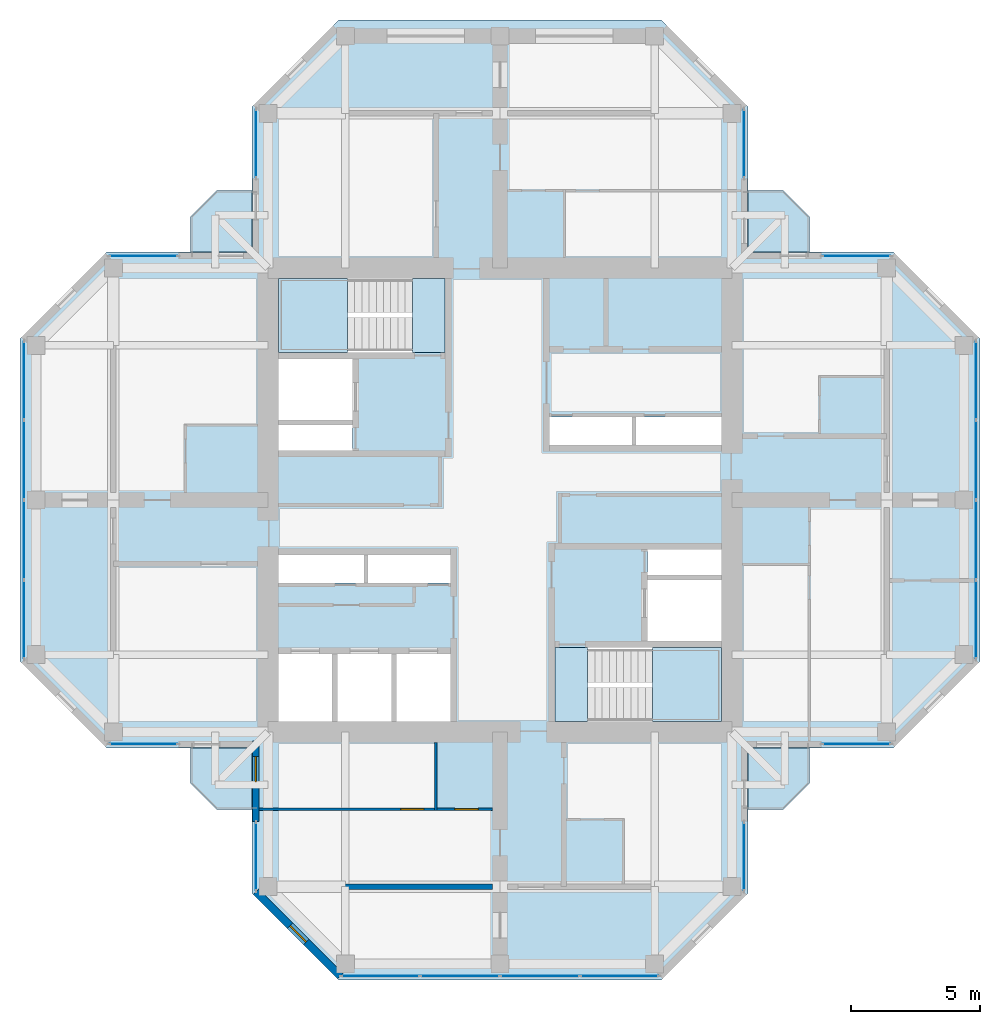
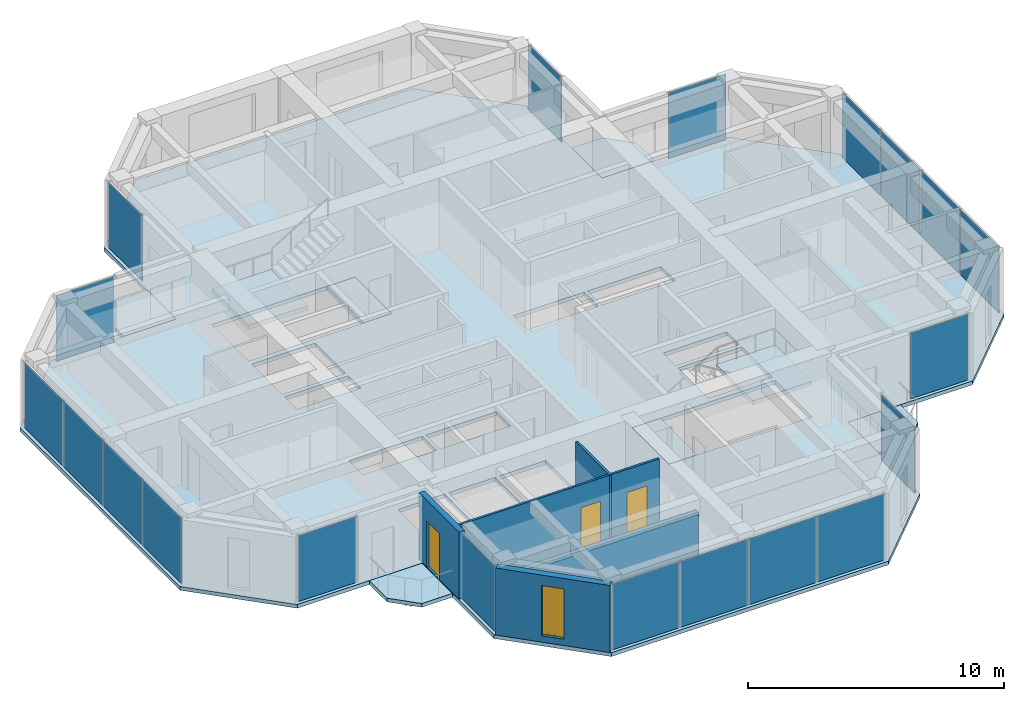
# One storey, part 7 of 13: 20 plates, 9 slabs, 5 walls, 3 doors, 1 window, 4 openings, 13 elements without a shape of their own.
"""IFC4 building model written with IfcOpenShell, lengths in metres."""

from ifc_helpers import new_model, si_unit, direction, frame, frame_2d, origin, origin_2d, place, context, subcontext, project, spatial, polyline, rectangle, hollow_rectangle, outline, extrude, material, layer, layer_set, constituent, constituent_set, type_object, element, fill, aggregate, save


model = new_model("IFC4")

# Units and contexts
model_context = context("Model", 3, precision=1e-05, world=origin(), true_north=direction((0.0, 1.0)))
body_context = subcontext(model_context, "Body", "Model", "MODEL_VIEW")
ifc_project = project(units=[si_unit("LENGTHUNIT", "METRE"), si_unit("AREAUNIT", "SQUARE_METRE"), si_unit("VOLUMEUNIT", "CUBIC_METRE"), si_unit("PLANEANGLEUNIT", "RADIAN"), si_unit("MASSUNIT", "GRAM", prefix="KILO")], contexts=[model_context])

# Site, building, storey
site_placement = place(None, origin())
site = spatial("IfcSite", under=ifc_project, at=site_placement, CompositionType="ELEMENT")
building_placement = place(site_placement, origin())
building = spatial("IfcBuilding", under=site, at=building_placement, Name="Torre Cruceta", CompositionType="ELEMENT")
storey_placement = place(building_placement, frame((0.0, 0.0, 284.89990234375)))
storey = spatial("IfcBuildingStorey", under=building, at=storey_placement, Name="L74", CompositionType="ELEMENT", Elevation=284.89990234375)

# Slabs
ifc_material_1 = material(Name="Concrete G35 (fck 35 MPa)", Category="concrete")
ifc_layer_1 = layer(ifc_material_1, 0.179931640625)
ifc_layer_set_1 = layer_set([ifc_layer_1], Name="Concrete G35 (fck 35 MPa)")
slab_type_1 = type_object("IfcSlabType", Name="BALCONY SLAB 180", PredefinedType="USERDEFINED", material=ifc_layer_set_1)
slab_1_placement = place(storey_placement, frame((0.0, 0.0, -0.179931640625)))
element("IfcSlab", 1, at=slab_1_placement, inside=storey, type_object=slab_type_1, Name="Balcony slab L74 N", ObjectType="BALCONY", PredefinedType="USERDEFINED", context=body_context, shape_type="SweptSolid", body=[
    extrude(outline(polyline([(-12.0, 11.0), (-11.0, 12.0), (-9.6201171875, 12.0), (-9.6201171875, 9.6201171875), (-12.0, 9.6201171875), (-12.0, 11.0)])), origin(), (0.0, 0.0, 1.0), 0.179931640625),
])
slab_2_placement = place(storey_placement, frame((0.0, 0.0, -0.179931640625)))
element("IfcSlab", 2, at=slab_2_placement, inside=storey, type_object=slab_type_1, Name="Balcony slab L74 E", ObjectType="BALCONY", PredefinedType="USERDEFINED", context=body_context, shape_type="SweptSolid", body=[
    extrude(outline(polyline([(11.0, 12.0), (12.0, 11.0), (12.0, 9.6201171875), (9.6201171875, 9.6201171875), (9.6201171875, 12.0), (11.0, 12.0)])), origin(), (0.0, 0.0, 1.0), 0.179931640625),
])
slab_3_placement = place(storey_placement, frame((0.0, 0.0, -0.179931640625)))
element("IfcSlab", 3, at=slab_3_placement, inside=storey, type_object=slab_type_1, Name="Balcony slab L74 S", ObjectType="BALCONY", PredefinedType="USERDEFINED", context=body_context, shape_type="SweptSolid", body=[
    extrude(outline(polyline([(12.0, -11.0), (11.0, -12.0), (9.6201171875, -12.0), (9.6201171875, -9.6201171875), (12.0, -9.6201171875), (12.0, -11.0)])), origin(), (0.0, 0.0, 1.0), 0.179931640625),
])
slab_4_placement = place(storey_placement, frame((0.0, 0.0, -0.179931640625)))
element("IfcSlab", 4, at=slab_4_placement, inside=storey, type_object=slab_type_1, Name="Balcony slab L74 W", ObjectType="BALCONY", PredefinedType="USERDEFINED", context=body_context, shape_type="SweptSolid", body=[
    extrude(outline(polyline([(-11.0, -12.0), (-12.0, -11.0), (-12.0, -9.6201171875), (-9.6201171875, -9.6201171875), (-9.6201171875, -12.0), (-11.0, -12.0)])), origin(), (0.0, 0.0, 1.0), 0.179931640625),
])

# Curtain wall, plate
ifc_material_2 = material(Name="Aluminium unitised curtain wall", Category="aluminium")
curtain_wall_type = type_object("IfcCurtainWallType", Name="CURTAIN WALL CW-E CO-LIVING TOP", PredefinedType="USERDEFINED", material=ifc_material_2)
curtain_wall_1_placement = place(storey_placement, origin())
curtain_wall_1 = element("IfcCurtainWall", 5, at=curtain_wall_1_placement, inside=storey, type_object=curtain_wall_type, Name="CW-E L74 E tip 02", ObjectType="UNITISED", PredefinedType="USERDEFINED")
ifc_material_3 = material(Name="Laminated insulating glass unit, diagonal frit 50 %", Category="glass")
ifc_material_4 = material(Name="Laminated insulating glass unit, diagonal frit 50 %", Category="glass")
ifc_layer_2 = layer(ifc_material_4, 0.028076171875)
ifc_layer_set_2 = layer_set([ifc_layer_2], Name="Laminated insulating glass unit, diagonal frit 50 %")
plate_type_1 = type_object("IfcPlateType", Name="CW-E OPERABLE VENT PANEL 28", PredefinedType="CURTAIN_PANEL", material=ifc_layer_set_2)
plate_1_placement = place(storey_placement, frame((18.469970703125, -1.548583984375, 0.01025390625), z_axis=(0.0, 0.0, 1.0), x_axis=(0.0, 1.0, 0.0)))
plate_1 = element("IfcPlate", 6, at=plate_1_placement, type_object=plate_type_1, material=ifc_material_3, Name="CW-E vent 2", PredefinedType="CURTAIN_PANEL", context=body_context, shape_type="SweptSolid", body=[
    extrude(rectangle(XDim=3.042236328125, YDim=0.028076171875, at=origin_2d()), origin(), (0.0, 0.0, 1.0), 3.135009765625),
])

curtain_wall_2_placement = place(storey_placement, origin())
curtain_wall_2 = element("IfcCurtainWall", 7, at=curtain_wall_2_placement, inside=storey, type_object=curtain_wall_type, Name="CW-E L74 W tip 12", ObjectType="UNITISED", PredefinedType="USERDEFINED")
plate_2_placement = place(storey_placement, frame((-18.469970703125, 1.548583984375, 0.01025390625), z_axis=(0.0, 0.0, 1.0), x_axis=(0.0, -1.0, 0.0)))
plate_2 = element("IfcPlate", 8, at=plate_2_placement, type_object=plate_type_1, material=ifc_material_3, Name="CW-E vent 2", PredefinedType="CURTAIN_PANEL", context=body_context, shape_type="SweptSolid", body=[
    extrude(rectangle(XDim=3.042236328125, YDim=0.028076171875, at=origin_2d()), origin(), (0.0, 0.0, 1.0), 3.135009765625),
])

curtain_wall_3_placement = place(storey_placement, origin())
curtain_wall_3 = element("IfcCurtainWall", 9, at=curtain_wall_3_placement, inside=storey, type_object=curtain_wall_type, Name="CW-E L74 S tip 17", ObjectType="UNITISED", PredefinedType="USERDEFINED")
plate_3_placement = place(storey_placement, frame((-1.548583984375, -18.469970703125, 0.01025390625), z_axis=(0.0, 0.0, 1.0), x_axis=(1.0, 0.0, 0.0)))
plate_3 = element("IfcPlate", 10, at=plate_3_placement, type_object=plate_type_1, material=ifc_material_3, Name="CW-E vent 2", PredefinedType="CURTAIN_PANEL", context=body_context, shape_type="SweptSolid", body=[
    extrude(rectangle(XDim=3.042236328125, YDim=0.028076171875, at=origin_2d()), origin(), (0.0, 0.0, 1.0), 3.135009765625),
])

curtain_wall_4_placement = place(storey_placement, origin())
curtain_wall_4 = element("IfcCurtainWall", 11, at=curtain_wall_4_placement, inside=storey, type_object=curtain_wall_type, Name="CW-E L74 E side 00", ObjectType="UNITISED", PredefinedType="USERDEFINED")
ifc_material_5 = material(Name="Laminated insulating glass unit, diagonal frit 50 %", Category="glass")
ifc_layer_3 = layer(ifc_material_5, 0.028076171875)
ifc_layer_set_3 = layer_set([ifc_layer_3], Name="Laminated insulating glass unit, diagonal frit 50 %")
plate_type_2 = type_object("IfcPlateType", Name="CW-E PANEL 28", PredefinedType="CURTAIN_PANEL", material=ifc_layer_set_3)
plate_4_placement = place(storey_placement, frame((13.832275390625, -9.469970703125, 0.01025390625), z_axis=(0.0, 0.0, 1.0), x_axis=(1.0, 0.0, 0.0)))
plate_4 = element("IfcPlate", 12, at=plate_4_placement, type_object=plate_type_2, material=ifc_material_3, Name="CW-E panel 1", PredefinedType="CURTAIN_PANEL", context=body_context, shape_type="SweptSolid", body=[
    extrude(rectangle(XDim=2.61474609375, YDim=0.028076171875, at=origin_2d()), origin(), (0.0, 0.0, 1.0), 3.135009765625),
])
aggregate(curtain_wall_4, [plate_4])

# Plate
plate_5_placement = place(storey_placement, frame((18.469970703125, -4.63232421875, 0.01025390625), z_axis=(0.0, 0.0, 1.0), x_axis=(0.0, 1.0, 0.0)))
plate_5 = element("IfcPlate", 13, at=plate_5_placement, type_object=plate_type_2, material=ifc_material_3, Name="CW-E panel 1", PredefinedType="CURTAIN_PANEL", context=body_context, shape_type="SweptSolid", body=[
    extrude(rectangle(XDim=3.014892578125, YDim=0.028076171875, at=origin_2d()), origin(), (0.0, 0.0, 1.0), 3.135009765625),
])

plate_6_placement = place(storey_placement, frame((18.469970703125, 1.548583984375, 0.01025390625), z_axis=(0.0, 0.0, 1.0), x_axis=(0.0, 1.0, 0.0)))
plate_6 = element("IfcPlate", 14, at=plate_6_placement, type_object=plate_type_2, material=ifc_material_3, Name="CW-E panel 3", PredefinedType="CURTAIN_PANEL", context=body_context, shape_type="SweptSolid", body=[
    extrude(rectangle(XDim=3.042236328125, YDim=0.028076171875, at=origin_2d()), origin(), (0.0, 0.0, 1.0), 3.135009765625),
])

plate_7_placement = place(storey_placement, frame((18.469970703125, 4.63232421875, 0.01025390625), z_axis=(0.0, 0.0, 1.0), x_axis=(0.0, 1.0, 0.0)))
plate_7 = element("IfcPlate", 15, at=plate_7_placement, type_object=plate_type_2, material=ifc_material_3, Name="CW-E panel 4", PredefinedType="CURTAIN_PANEL", context=body_context, shape_type="SweptSolid", body=[
    extrude(rectangle(XDim=3.014892578125, YDim=0.028076171875, at=origin_2d()), origin(), (0.0, 0.0, 1.0), 3.135009765625),
])

aggregate(curtain_wall_1, [plate_5, plate_1, plate_6, plate_7])

# Curtain wall, plate
curtain_wall_5_placement = place(storey_placement, origin())
curtain_wall_5 = element("IfcCurtainWall", 16, at=curtain_wall_5_placement, inside=storey, type_object=curtain_wall_type, Name="CW-E L74 E side 04", ObjectType="UNITISED", PredefinedType="USERDEFINED")
plate_8_placement = place(storey_placement, frame((13.832275390625, 9.469970703125, 0.01025390625), z_axis=(0.0, 0.0, 1.0), x_axis=(-1.0, 0.0, 0.0)))
plate_8 = element("IfcPlate", 17, at=plate_8_placement, type_object=plate_type_2, material=ifc_material_3, Name="CW-E panel 1", PredefinedType="CURTAIN_PANEL", context=body_context, shape_type="SweptSolid", body=[
    extrude(rectangle(XDim=2.61474609375, YDim=0.028076171875, at=origin_2d()), origin(), (0.0, 0.0, 1.0), 3.135009765625),
])
aggregate(curtain_wall_5, [plate_8])

curtain_wall_6_placement = place(storey_placement, origin())
curtain_wall_6 = element("IfcCurtainWall", 18, at=curtain_wall_6_placement, inside=storey, type_object=curtain_wall_type, Name="CW-E L74 N side 05", ObjectType="UNITISED", PredefinedType="USERDEFINED")
plate_9_placement = place(storey_placement, frame((9.469970703125, 13.832275390625, 0.01025390625), z_axis=(0.0, 0.0, 1.0), x_axis=(0.0, 1.0, 0.0)))
plate_9 = element("IfcPlate", 19, at=plate_9_placement, type_object=plate_type_2, material=ifc_material_3, Name="CW-E panel 1", PredefinedType="CURTAIN_PANEL", context=body_context, shape_type="SweptSolid", body=[
    extrude(rectangle(XDim=2.61474609375, YDim=0.028076171875, at=origin_2d()), origin(), (0.0, 0.0, 1.0), 3.135009765625),
])
aggregate(curtain_wall_6, [plate_9])

curtain_wall_7_placement = place(storey_placement, origin())
curtain_wall_7 = element("IfcCurtainWall", 20, at=curtain_wall_7_placement, inside=storey, type_object=curtain_wall_type, Name="CW-E L74 N side 09", ObjectType="UNITISED", PredefinedType="USERDEFINED")
plate_10_placement = place(storey_placement, frame((-9.469970703125, 13.832275390625, 0.01025390625), z_axis=(0.0, 0.0, 1.0), x_axis=(0.0, -1.0, 0.0)))
plate_10 = element("IfcPlate", 21, at=plate_10_placement, type_object=plate_type_2, material=ifc_material_3, Name="CW-E panel 1", PredefinedType="CURTAIN_PANEL", context=body_context, shape_type="SweptSolid", body=[
    extrude(rectangle(XDim=2.61474609375, YDim=0.028076171875, at=origin_2d()), origin(), (0.0, 0.0, 1.0), 3.135009765625),
])
aggregate(curtain_wall_7, [plate_10])

curtain_wall_8_placement = place(storey_placement, origin())
curtain_wall_8 = element("IfcCurtainWall", 22, at=curtain_wall_8_placement, inside=storey, type_object=curtain_wall_type, Name="CW-E L74 W side 10", ObjectType="UNITISED", PredefinedType="USERDEFINED")
plate_11_placement = place(storey_placement, frame((-13.832275390625, 9.469970703125, 0.01025390625), z_axis=(0.0, 0.0, 1.0), x_axis=(-1.0, 0.0, 0.0)))
plate_11 = element("IfcPlate", 23, at=plate_11_placement, type_object=plate_type_2, material=ifc_material_3, Name="CW-E panel 1", PredefinedType="CURTAIN_PANEL", context=body_context, shape_type="SweptSolid", body=[
    extrude(rectangle(XDim=2.61474609375, YDim=0.028076171875, at=origin_2d()), origin(), (0.0, 0.0, 1.0), 3.135009765625),
])
aggregate(curtain_wall_8, [plate_11])

# Plate
plate_12_placement = place(storey_placement, frame((-18.469970703125, 4.63232421875, 0.01025390625), z_axis=(0.0, 0.0, 1.0), x_axis=(0.0, -1.0, 0.0)))
plate_12 = element("IfcPlate", 24, at=plate_12_placement, type_object=plate_type_2, material=ifc_material_3, Name="CW-E panel 1", PredefinedType="CURTAIN_PANEL", context=body_context, shape_type="SweptSolid", body=[
    extrude(rectangle(XDim=3.014892578125, YDim=0.028076171875, at=origin_2d()), origin(), (0.0, 0.0, 1.0), 3.135009765625),
])

plate_13_placement = place(storey_placement, frame((-18.469970703125, -1.548583984375, 0.01025390625), z_axis=(0.0, 0.0, 1.0), x_axis=(0.0, -1.0, 0.0)))
plate_13 = element("IfcPlate", 25, at=plate_13_placement, type_object=plate_type_2, material=ifc_material_3, Name="CW-E panel 3", PredefinedType="CURTAIN_PANEL", context=body_context, shape_type="SweptSolid", body=[
    extrude(rectangle(XDim=3.042236328125, YDim=0.028076171875, at=origin_2d()), origin(), (0.0, 0.0, 1.0), 3.135009765625),
])

plate_14_placement = place(storey_placement, frame((-18.469970703125, -4.63232421875, 0.01025390625), z_axis=(0.0, 0.0, 1.0), x_axis=(0.0, -1.0, 0.0)))
plate_14 = element("IfcPlate", 26, at=plate_14_placement, type_object=plate_type_2, material=ifc_material_3, Name="CW-E panel 4", PredefinedType="CURTAIN_PANEL", context=body_context, shape_type="SweptSolid", body=[
    extrude(rectangle(XDim=3.014892578125, YDim=0.028076171875, at=origin_2d()), origin(), (0.0, 0.0, 1.0), 3.135009765625),
])

aggregate(curtain_wall_2, [plate_12, plate_2, plate_13, plate_14])

# Curtain wall, plate
curtain_wall_9_placement = place(storey_placement, origin())
curtain_wall_9 = element("IfcCurtainWall", 27, at=curtain_wall_9_placement, inside=storey, type_object=curtain_wall_type, Name="CW-E L74 W side 14", ObjectType="UNITISED", PredefinedType="USERDEFINED")
plate_15_placement = place(storey_placement, frame((-13.832275390625, -9.469970703125, 0.01025390625), z_axis=(0.0, 0.0, 1.0), x_axis=(1.0, 0.0, 0.0)))
plate_15 = element("IfcPlate", 28, at=plate_15_placement, type_object=plate_type_2, material=ifc_material_3, Name="CW-E panel 1", PredefinedType="CURTAIN_PANEL", context=body_context, shape_type="SweptSolid", body=[
    extrude(rectangle(XDim=2.61474609375, YDim=0.028076171875, at=origin_2d()), origin(), (0.0, 0.0, 1.0), 3.135009765625),
])
aggregate(curtain_wall_9, [plate_15])

curtain_wall_10_placement = place(storey_placement, origin())
curtain_wall_10 = element("IfcCurtainWall", 29, at=curtain_wall_10_placement, inside=storey, type_object=curtain_wall_type, Name="CW-E L74 S side 15", ObjectType="UNITISED", PredefinedType="USERDEFINED")
plate_16_placement = place(storey_placement, frame((-9.469970703125, -13.832275390625, 0.01025390625), z_axis=(0.0, 0.0, 1.0), x_axis=(0.0, -1.0, 0.0)))
plate_16 = element("IfcPlate", 30, at=plate_16_placement, type_object=plate_type_2, material=ifc_material_3, Name="CW-E panel 1", PredefinedType="CURTAIN_PANEL", context=body_context, shape_type="SweptSolid", body=[
    extrude(rectangle(XDim=2.61474609375, YDim=0.028076171875, at=origin_2d()), origin(), (0.0, 0.0, 1.0), 3.135009765625),
])
aggregate(curtain_wall_10, [plate_16])

# Plate
plate_17_placement = place(storey_placement, frame((-4.63232421875, -18.469970703125, 0.01025390625), z_axis=(0.0, 0.0, 1.0), x_axis=(1.0, 0.0, 0.0)))
plate_17 = element("IfcPlate", 31, at=plate_17_placement, type_object=plate_type_2, material=ifc_material_3, Name="CW-E panel 1", PredefinedType="CURTAIN_PANEL", context=body_context, shape_type="SweptSolid", body=[
    extrude(rectangle(XDim=3.014892578125, YDim=0.028076171875, at=origin_2d()), origin(), (0.0, 0.0, 1.0), 3.135009765625),
])

plate_18_placement = place(storey_placement, frame((1.548583984375, -18.469970703125, 0.01025390625), z_axis=(0.0, 0.0, 1.0), x_axis=(1.0, 0.0, 0.0)))
plate_18 = element("IfcPlate", 32, at=plate_18_placement, type_object=plate_type_2, material=ifc_material_3, Name="CW-E panel 3", PredefinedType="CURTAIN_PANEL", context=body_context, shape_type="SweptSolid", body=[
    extrude(rectangle(XDim=3.042236328125, YDim=0.028076171875, at=origin_2d()), origin(), (0.0, 0.0, 1.0), 3.135009765625),
])

plate_19_placement = place(storey_placement, frame((4.63232421875, -18.469970703125, 0.01025390625), z_axis=(0.0, 0.0, 1.0), x_axis=(1.0, 0.0, 0.0)))
plate_19 = element("IfcPlate", 33, at=plate_19_placement, type_object=plate_type_2, material=ifc_material_3, Name="CW-E panel 4", PredefinedType="CURTAIN_PANEL", context=body_context, shape_type="SweptSolid", body=[
    extrude(rectangle(XDim=3.014892578125, YDim=0.028076171875, at=origin_2d()), origin(), (0.0, 0.0, 1.0), 3.135009765625),
])

aggregate(curtain_wall_3, [plate_17, plate_3, plate_18, plate_19])

# Curtain wall, plate
curtain_wall_11_placement = place(storey_placement, origin())
curtain_wall_11 = element("IfcCurtainWall", 34, at=curtain_wall_11_placement, inside=storey, type_object=curtain_wall_type, Name="CW-E L74 S side 19", ObjectType="UNITISED", PredefinedType="USERDEFINED")
plate_20_placement = place(storey_placement, frame((9.469970703125, -13.832275390625, 0.01025390625), z_axis=(0.0, 0.0, 1.0), x_axis=(0.0, 1.0, 0.0)))
plate_20 = element("IfcPlate", 35, at=plate_20_placement, type_object=plate_type_2, material=ifc_material_3, Name="CW-E panel 1", PredefinedType="CURTAIN_PANEL", context=body_context, shape_type="SweptSolid", body=[
    extrude(rectangle(XDim=2.61474609375, YDim=0.028076171875, at=origin_2d()), origin(), (0.0, 0.0, 1.0), 3.135009765625),
])
aggregate(curtain_wall_11, [plate_20])

# Slab
ifc_material_6 = material(Name="Concrete G35 (fck 35 MPa)", Category="concrete")
ifc_layer_4 = layer(ifc_material_6, 0.179931640625)
ifc_layer_set_4 = layer_set([ifc_layer_4], Name="Concrete G35 (fck 35 MPa)")
slab_type_2 = type_object("IfcSlabType", Name="FLOOR SLAB 180", PredefinedType="FLOOR", material=ifc_layer_set_4)
slab_5_placement = place(storey_placement, frame((0.0, 0.0, -0.179931640625)))
element("IfcSlab", 36, at=slab_5_placement, inside=storey, type_object=slab_type_2, Name="Floor Slab L74", PredefinedType="FLOOR", context=body_context, shape_type="SweptSolid", body=[
    extrude(outline(polyline([(9.6201171875, -9.6201171875), (9.6201171875, -15.2568359375), (6.2568359375, -18.6201171875), (-6.2568359375, -18.6201171875), (-9.6201171875, -15.2568359375), (-9.6201171875, -9.6201171875), (-15.2568359375, -9.6201171875), (-18.6201171875, -6.2568359375), (-18.6201171875, 6.2568359375), (-15.2568359375, 9.6201171875), (-9.6201171875, 9.6201171875), (-9.6201171875, 15.2568359375), (-6.2568359375, 18.6201171875), (6.2568359375, 18.6201171875), (9.6201171875, 15.2568359375), (9.6201171875, 9.6201171875), (15.2568359375, 9.6201171875), (18.6201171875, 6.2568359375), (18.6201171875, -6.2568359375), (15.2568359375, -9.6201171875), (9.6201171875, -9.6201171875)]), holes=[polyline([(1.925048828125, 2.125), (5.125, 2.125), (5.125, 3.22509765625), (1.925048828125, 3.22509765625), (1.925048828125, 2.125)]), polyline([(5.27490234375, 2.125), (8.60009765625, 2.125), (8.60009765625, 3.22509765625), (5.27490234375, 3.22509765625), (5.27490234375, 2.125)]), polyline([(-8.60009765625, 3.10009765625), (-5.72509765625, 3.10009765625), (-5.72509765625, 5.47509765625), (-8.60009765625, 5.47509765625), (-8.60009765625, 3.10009765625)]), polyline([(-8.60009765625, 1.925048828125), (-5.72509765625, 1.925048828125), (-5.72509765625, 2.89990234375), (-8.60009765625, 2.89990234375), (-8.60009765625, 1.925048828125)]), polyline([(-4.0166015625, -8.60009765625), (-1.925048828125, -8.60009765625), (-1.925048828125, -5.97509765625), (-4.0166015625, -5.97509765625), (-4.0166015625, -8.60009765625)]), polyline([(-6.308349609375, -8.60009765625), (-4.216552734375, -8.60009765625), (-4.216552734375, -5.97509765625), (-6.308349609375, -5.97509765625), (-6.308349609375, -8.60009765625)]), polyline([(-8.60009765625, -8.60009765625), (-6.50830078125, -8.60009765625), (-6.50830078125, -5.97509765625), (-8.60009765625, -5.97509765625), (-8.60009765625, -8.60009765625)]), polyline([(-5.125, -3.22509765625), (-1.925048828125, -3.22509765625), (-1.925048828125, -2.125), (-5.125, -2.125), (-5.125, -3.22509765625)]), polyline([(-8.60009765625, -3.22509765625), (-5.27490234375, -3.22509765625), (-5.27490234375, -2.125), (-8.60009765625, -2.125), (-8.60009765625, -3.22509765625)]), polyline([(5.72509765625, -5.47509765625), (8.60009765625, -5.47509765625), (8.60009765625, -3.10009765625), (5.72509765625, -3.10009765625), (5.72509765625, -5.47509765625)]), polyline([(5.72509765625, -2.89990234375), (8.60009765625, -2.89990234375), (8.60009765625, -1.925048828125), (5.72509765625, -1.925048828125), (5.72509765625, -2.89990234375)]), polyline([(-8.60009765625, 5.72509765625), (-8.60009765625, 8.60009765625), (-3.39990234375, 8.60009765625), (-2.125, 8.60009765625), (-2.125, 5.72509765625), (-3.39990234375, 5.72509765625), (-8.60009765625, 5.72509765625)]), polyline([(2.125, -5.72509765625), (3.39990234375, -5.72509765625), (8.60009765625, -5.72509765625), (8.60009765625, -8.60009765625), (3.39990234375, -8.60009765625), (2.125, -8.60009765625), (2.125, -5.72509765625)])]), origin(), (0.0, 0.0, 1.0), 0.179931640625),
])

# Stair, slab
ifc_material_7 = material(Name="Concrete G30 (fck 30 MPa)", Category="concrete")
stair_type = type_object("IfcStairType", Name="STAIR HALF-TURN 1300", PredefinedType="HALF_TURN_STAIR", material=ifc_material_7)
stair_1_placement = place(storey_placement, origin())
stair_1 = element("IfcStair", 37, at=stair_1_placement, inside=storey, type_object=stair_type, Name="Stair ST1 L74", PredefinedType="HALF_TURN_STAIR")
ifc_material_8 = material(Name="Concrete G30 (fck 30 MPa)", Category="concrete")
ifc_layer_5 = layer(ifc_material_8, 0.199951171875)
ifc_layer_set_5 = layer_set([ifc_layer_5], Name="Concrete G30 (fck 30 MPa)")
slab_type_3 = type_object("IfcSlabType", Name="STAIR LANDING 200", PredefinedType="LANDING", material=ifc_layer_set_5)
slab_6_placement = place(storey_placement, frame((0.0, 0.0, 1.5)))
slab_6 = element("IfcSlab", 38, at=slab_6_placement, type_object=slab_type_3, Name="ST1 landing 1", PredefinedType="LANDING", context=body_context, shape_type="SweptSolid", body=[
    extrude(outline(polyline([(-8.60009765625, 5.72509765625), (-5.919921875, 5.72509765625), (-5.919921875, 8.60009765625), (-8.60009765625, 8.60009765625), (-8.60009765625, 5.72509765625)])), origin(), (0.0, 0.0, 1.0), 0.2001953125),
])
aggregate(stair_1, [slab_6])

stair_2_placement = place(storey_placement, origin())
stair_2 = element("IfcStair", 39, at=stair_2_placement, inside=storey, type_object=stair_type, Name="Stair ST2 L74", PredefinedType="HALF_TURN_STAIR")
slab_7_placement = place(storey_placement, frame((0.0, 0.0, 1.5)))
slab_7 = element("IfcSlab", 40, at=slab_7_placement, type_object=slab_type_3, Name="ST2 landing 1", PredefinedType="LANDING", context=body_context, shape_type="SweptSolid", body=[
    extrude(outline(polyline([(5.919921875, -8.60009765625), (8.60009765625, -8.60009765625), (8.60009765625, -5.72509765625), (5.919921875, -5.72509765625), (5.919921875, -8.60009765625)])), origin(), (0.0, 0.0, 1.0), 0.2001953125),
])
aggregate(stair_2, [slab_7])

# Slabs
slab_8_placement = place(storey_placement, frame((0.0, 0.0, -0.199951171875)))
element("IfcSlab", 41, at=slab_8_placement, inside=storey, type_object=slab_type_3, Name="Stair ST1 floor landing L74", PredefinedType="LANDING", context=body_context, shape_type="SweptSolid", body=[
    extrude(outline(polyline([(-2.125, 8.60009765625), (-2.125, 5.72509765625), (-3.39990234375, 5.72509765625), (-3.39990234375, 8.60009765625), (-2.125, 8.60009765625)])), origin(), (0.0, 0.0, 1.0), 0.199951171875),
])
slab_9_placement = place(storey_placement, frame((0.0, 0.0, -0.199951171875)))
element("IfcSlab", 42, at=slab_9_placement, inside=storey, type_object=slab_type_3, Name="Stair ST2 floor landing L74", PredefinedType="LANDING", context=body_context, shape_type="SweptSolid", body=[
    extrude(outline(polyline([(2.125, -8.60009765625), (2.125, -5.72509765625), (3.39990234375, -5.72509765625), (3.39990234375, -8.60009765625), (2.125, -8.60009765625)])), origin(), (0.0, 0.0, 1.0), 0.199951171875),
])

# Wall
ifc_material_9 = material(Name="Water-resistant plasterboard on steel studs", Category="steel")
ifc_layer_6 = layer(ifc_material_9, 0.10009765625)
ifc_layer_set_6 = layer_set([ifc_layer_6], Name="Water-resistant plasterboard on steel studs")
wall_type_1 = type_object("IfcWallType", Name="BATHROOM WALL 100", PredefinedType="PARTITIONING", material=ifc_layer_set_6)
wall_1_placement = place(storey_placement, frame((-2.5, -9.39990234375, 0.0), z_axis=(0.0, 0.0, 1.0), x_axis=(0.0, -1.0, 0.0)))
element("IfcWall", 43, at=wall_1_placement, inside=storey, type_object=wall_type_1, Name="PT4 L74-S-U1RBB", PredefinedType="PARTITIONING", context=body_context, shape_type="SweptSolid", body=[
    extrude(rectangle(XDim=2.650146484375, YDim=0.10009765625, at=frame_2d((1.3251953125, 0.0))), origin(), (0.0, 0.0, 1.0), 3.2001953125),
])

# Wall, openings, doors
wall_2_placement = place(storey_placement, frame((-9.344970703125, -12.0, 0.0), z_axis=(0.0, 0.0, 1.0), x_axis=(1.0, 0.0, 0.0)))
wall_2 = element("IfcWall", 44, at=wall_2_placement, inside=storey, type_object=wall_type_1, Name="PT4 L74-S-U1RBS", PredefinedType="PARTITIONING", context=body_context, shape_type="SweptSolid", body=[
    extrude(rectangle(XDim=9.044921875, YDim=0.10009765625, at=frame_2d((4.5224609375, 0.0))), origin(), (0.0, 0.0, 1.0), 3.2001953125),
])
opening_1_placement = place(wall_2_placement, frame((5.4951171875, 0.0, 0.0)))
opening_1 = element("IfcOpeningElement", 45, at=opening_1_placement, cuts=wall_2, Name="Opening D7", PredefinedType="OPENING", context=body_context, shape_type="SweptSolid", body=[
    extrude(rectangle(XDim=0.89990234375, YDim=2.10009765625, at=frame_2d((0.449951171875, 1.050048828125))), frame((0.0, 0.06005859375, 0.0), z_axis=(0.0, -1.0, 0.0), x_axis=(1.0, 0.0, 0.0)), (0.0, 0.0, 1.0), 0.1201171875),
])
opening_2_placement = place(wall_2_placement, frame((7.594970703125, 0.0, 0.0)))
opening_2 = element("IfcOpeningElement", 46, at=opening_2_placement, cuts=wall_2, Name="Opening D7", PredefinedType="OPENING", context=body_context, shape_type="SweptSolid", body=[
    extrude(rectangle(XDim=0.89990234375, YDim=2.10009765625, at=frame_2d((0.449951171875, 1.050048828125))), frame((0.0, 0.06005859375, 0.0), z_axis=(0.0, -1.0, 0.0), x_axis=(1.0, 0.0, 0.0)), (0.0, 0.0, 1.0), 0.1201171875),
])
ifc_material_10 = material(Name="Timber door", Category="wood")
door_type_1 = type_object("IfcDoorType", Name="BATHROOM DOOR 900X2100", OperationType="SINGLE_SWING_LEFT", PredefinedType="DOOR", material=ifc_material_10)
door_1_placement = place(opening_1_placement, origin())
door_1 = element("IfcDoor", 47, at=door_1_placement, inside=storey, type_object=door_type_1, Name="D7 L74-S-U1RBS-D1", OperationType="SINGLE_SWING_RIGHT", OverallHeight=2.10009765625, OverallWidth=0.89990234375, PredefinedType="DOOR", context=body_context, shape_type="SweptSolid", body=[
    extrude(rectangle(XDim=0.89990234375, YDim=2.10009765625, at=frame_2d((0.449951171875, 1.050048828125))), frame((0.0, 0.02490234375, 0.0), z_axis=(0.0, -1.0, 0.0), x_axis=(1.0, 0.0, 0.0)), (0.0, 0.0, 1.0), 0.050048828125),
])
fill(opening_1, door_1)
door_2_placement = place(opening_2_placement, origin())
door_2 = element("IfcDoor", 48, at=door_2_placement, inside=storey, type_object=door_type_1, Name="D7 L74-S-U1RBS-D2", OperationType="SINGLE_SWING_RIGHT", OverallHeight=2.10009765625, OverallWidth=0.89990234375, PredefinedType="DOOR", context=body_context, shape_type="SweptSolid", body=[
    extrude(rectangle(XDim=0.89990234375, YDim=2.10009765625, at=frame_2d((0.449951171875, 1.050048828125))), frame((0.0, 0.02490234375, 0.0), z_axis=(0.0, -1.0, 0.0), x_axis=(1.0, 0.0, 0.0)), (0.0, 0.0, 1.0), 0.050048828125),
])
fill(opening_2, door_2)

# Wall, opening, window
ifc_material_11 = material(Name="Concrete G30 (fck 30 MPa)", Category="concrete")
ifc_layer_7 = layer(ifc_material_11, 0.300048828125)
ifc_layer_set_7 = layer_set([ifc_layer_7], Name="Concrete G30 (fck 30 MPa)")
wall_type_2 = type_object("IfcWallType", Name="EXPOSED CONCRETE FACADE WALL 300", PredefinedType="SOLIDWALL", material=ifc_layer_set_7)
wall_3_placement = place(storey_placement, frame((-9.469970703125, -15.194580078125, 0.0), z_axis=(0.0, 0.0, 1.0), x_axis=(0.707106781187, -0.707106781187, 0.0)))
wall_3 = element("IfcWall", 49, at=wall_3_placement, inside=storey, type_object=wall_type_2, Name="EW1 facade wall L74 S chamfer 16", PredefinedType="SOLIDWALL", context=body_context, shape_type="SweptSolid", body=[
    extrude(rectangle(XDim=4.632080078125, YDim=0.300048828125, at=frame_2d((2.31591796875, 0.0))), origin(), (0.0, 0.0, 1.0), 3.2001953125),
])
opening_3_placement = place(wall_3_placement, frame((1.865966796875, 0.0, 0.300048828125)))
opening_3 = element("IfcOpeningElement", 50, at=opening_3_placement, cuts=wall_3, Name="Opening WN5", PredefinedType="OPENING", context=body_context, shape_type="SweptSolid", body=[
    extrude(rectangle(XDim=0.89990234375, YDim=2.39990234375, at=frame_2d((0.449951171875, 1.199951171875))), frame((0.0, 0.159912109375, 0.0), z_axis=(0.0, -1.0, 0.0), x_axis=(1.0, 0.0, 0.0)), (0.0, 0.0, 1.0), 0.320068359375),
])
ifc_material_12 = material(Name="Aluminium window frame", Category="aluminium")
ifc_constituent_1 = constituent(ifc_material_12, Name="Frame")
ifc_material_13 = material(Name="Laminated insulating glass unit, low-iron clear", Category="glass")
ifc_constituent_2 = constituent(ifc_material_13, Name="Glazing")
ifc_constituent_set_1 = constituent_set(constituents=[ifc_constituent_1, ifc_constituent_2], Name="Aluminium window")
window_type = type_object("IfcWindowType", Name="CHAMFER SLOT WINDOW 900X2400", PartitioningType="SINGLE_PANEL", PredefinedType="WINDOW", material=ifc_constituent_set_1)
window_placement = place(opening_3_placement, origin())
window = element("IfcWindow", 51, at=window_placement, inside=storey, type_object=window_type, Name="WN5 L74 S 1", OverallHeight=2.39990234375, OverallWidth=0.89990234375, PartitioningType="SINGLE_PANEL", PredefinedType="WINDOW", context=body_context, shape_type="SweptSolid", body=[
    extrude(hollow_rectangle(XDim=0.89990234375, YDim=2.39990234375, WallThickness=0.06005859375, at=frame_2d((0.449951171875, 1.199951171875))), frame((0.0, 0.030029296875, 0.0), z_axis=(0.0, -1.0, 0.0), x_axis=(1.0, 0.0, 0.0)), (0.0, 0.0, 1.0), 0.06005859375),
    extrude(rectangle(XDim=0.77880859375, YDim=2.27880859375, at=frame_2d((0.449951171875, 1.199951171875))), frame((0.0, 0.030029296875, 0.0), z_axis=(0.0, -1.0, 0.0), x_axis=(1.0, 0.0, 0.0)), (0.0, 0.0, 1.0), 0.06005859375),
])
fill(opening_3, window)

# Wall
ifc_material_14 = material(Name="Concrete G25 (fck 25 MPa)", Category="concrete")
ifc_layer_8 = layer(ifc_material_14, 0.199951171875)
ifc_layer_set_8 = layer_set([ifc_layer_8], Name="Concrete G25 (fck 25 MPa)")
wall_type_3 = type_object("IfcWallType", Name="UNIT SEPARATING WALL 200", PredefinedType="SOLIDWALL", material=ifc_layer_set_8)
wall_4_placement = place(storey_placement, frame((-8.64990234375, -15.0, 0.0), z_axis=(0.0, 0.0, 1.0), x_axis=(1.0, 0.0, 0.0)))
element("IfcWall", 52, at=wall_4_placement, inside=storey, type_object=wall_type_3, Name="PT2 L74-S-ENDa", PredefinedType="SOLIDWALL", context=body_context, shape_type="SweptSolid", body=[
    extrude(rectangle(XDim=8.349853515625, YDim=0.199951171875, at=frame_2d((4.1748046875, 0.0))), origin(), (0.0, 0.0, 1.0), 2.5),
])

# Wall, opening, door
ifc_material_15 = material(Name="Concrete G30 (fck 30 MPa)", Category="concrete")
ifc_layer_9 = layer(ifc_material_15, 0.25)
ifc_layer_set_9 = layer_set([ifc_layer_9], Name="Concrete G30 (fck 30 MPa)")
wall_type_4 = type_object("IfcWallType", Name="WINTER GARDEN WALL 250", PredefinedType="SOLIDWALL", material=ifc_layer_set_9)
wall_5_placement = place(storey_placement, frame((-9.469970703125, -9.344970703125, 0.0), z_axis=(0.0, 0.0, 1.0), x_axis=(0.0, -1.0, 0.0)))
wall_5 = element("IfcWall", 53, at=wall_5_placement, inside=storey, type_object=wall_type_4, Name="EW2 winter garden wall L74 15", PredefinedType="SOLIDWALL", context=body_context, shape_type="SweptSolid", body=[
    extrude(rectangle(XDim=3.125, YDim=0.25, at=frame_2d((1.5625, 0.0))), origin(), (0.0, 0.0, 1.0), 3.2001953125),
])
opening_4_placement = place(wall_5_placement, frame((0.60009765625, 0.0, 0.0)))
opening_4 = element("IfcOpeningElement", 54, at=opening_4_placement, cuts=wall_5, Name="Opening D10", PredefinedType="OPENING", context=body_context, shape_type="SweptSolid", body=[
    extrude(rectangle(XDim=1.0, YDim=2.199951171875, at=frame_2d((0.5, 1.10009765625))), frame((0.0, 0.135009765625, 0.0), z_axis=(0.0, -1.0, 0.0), x_axis=(1.0, 0.0, 0.0)), (0.0, 0.0, 1.0), 0.27001953125),
])
ifc_material_16 = material(Name="Aluminium door frame", Category="aluminium")
ifc_constituent_3 = constituent(ifc_material_16, Name="Frame")
ifc_material_17 = material(Name="Laminated safety glass", Category="glass")
ifc_constituent_4 = constituent(ifc_material_17, Name="Glazing")
ifc_constituent_set_2 = constituent_set(constituents=[ifc_constituent_3, ifc_constituent_4], Name="Aluminium glazed door")
door_type_2 = type_object("IfcDoorType", Name="BALCONY DOOR 1000X2200", OperationType="SINGLE_SWING_RIGHT", PredefinedType="DOOR", material=ifc_constituent_set_2)
door_3_placement = place(opening_4_placement, origin())
door_3 = element("IfcDoor", 55, at=door_3_placement, inside=storey, type_object=door_type_2, Name="D10 balcony door L74 15", OperationType="SINGLE_SWING_LEFT", OverallHeight=2.199951171875, OverallWidth=1.0, PredefinedType="DOOR", context=body_context, shape_type="SweptSolid", body=[
    extrude(hollow_rectangle(XDim=1.0, YDim=2.199951171875, WallThickness=0.06005859375, at=frame_2d((0.5, 1.10009765625))), frame((0.0, 0.02490234375, 0.0), z_axis=(0.0, -1.0, 0.0), x_axis=(1.0, 0.0, 0.0)), (0.0, 0.0, 1.0), 0.050048828125),
    extrude(rectangle(XDim=0.87890625, YDim=2.078857421875, at=frame_2d((0.5, 1.10009765625))), frame((0.0, 0.02490234375, 0.0), z_axis=(0.0, -1.0, 0.0), x_axis=(1.0, 0.0, 0.0)), (0.0, 0.0, 1.0), 0.050048828125),
])
fill(opening_4, door_3)

save(model, "model.ifc")
